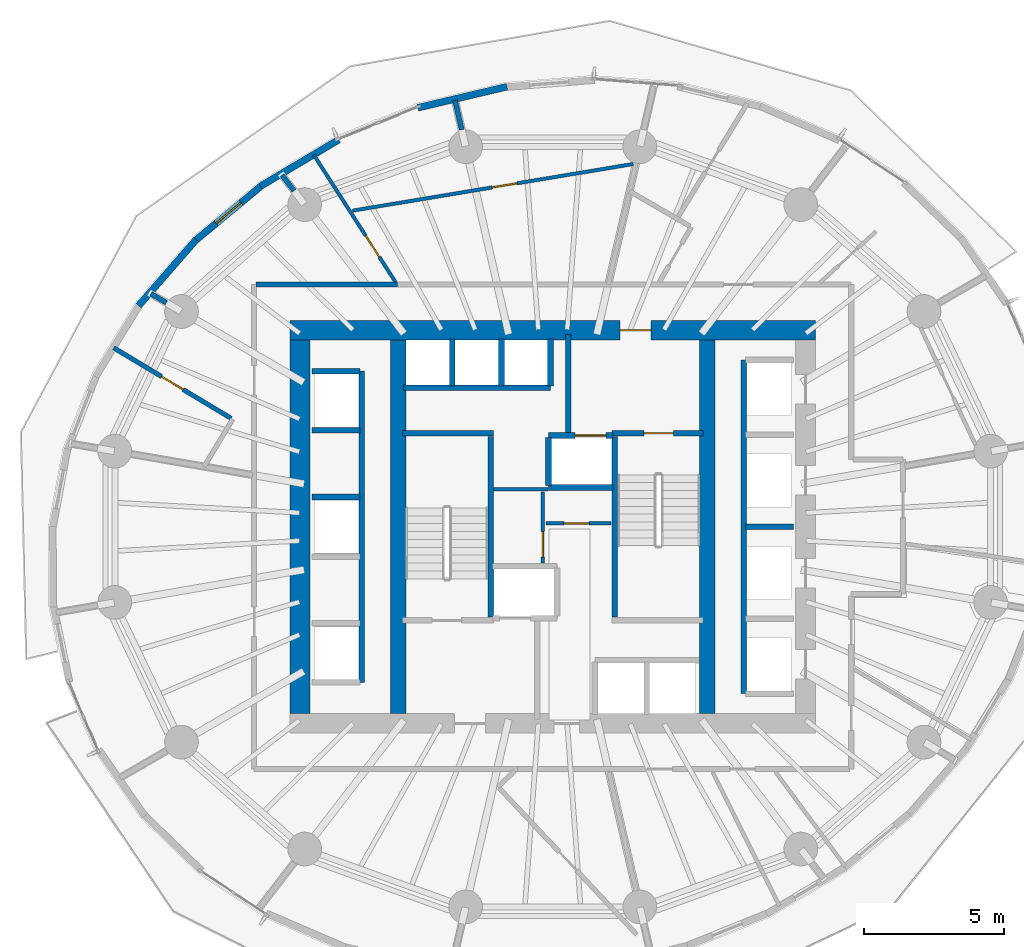
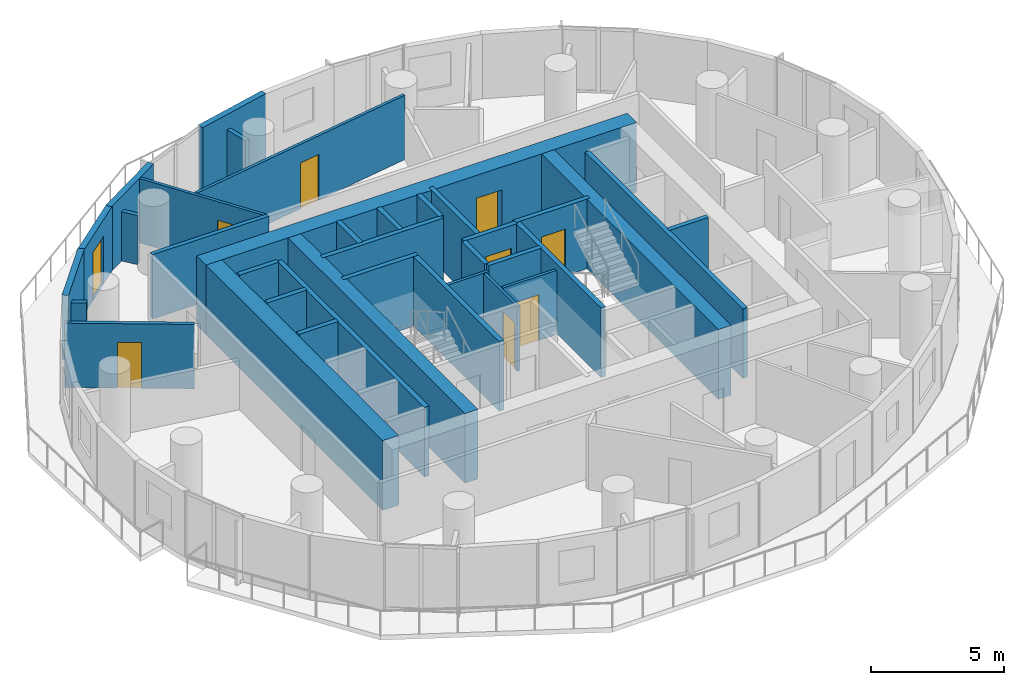
# One storey, part 8 of 14: 36 walls, 9 doors, 9 openings.
"""IFC4 building model written with IfcOpenShell, lengths in metres."""

from ifc_helpers import new_model, si_unit, direction, frame, frame_2d, origin, place, context, subcontext, project, spatial, rectangle, extrude, material, layer, layer_set, type_object, element, fill, save


model = new_model("IFC4")

# Units and contexts
model_context = context("Model", 3, precision=1e-05, world=origin(), true_north=direction((0.0, 1.0)))
body_context = subcontext(model_context, "Body", "Model", "MODEL_VIEW")
ifc_project = project(units=[si_unit("LENGTHUNIT", "METRE"), si_unit("AREAUNIT", "SQUARE_METRE"), si_unit("VOLUMEUNIT", "CUBIC_METRE"), si_unit("PLANEANGLEUNIT", "RADIAN"), si_unit("MASSUNIT", "GRAM", prefix="KILO")], contexts=[model_context])

# Site, building, storey
site_placement = place(None, origin())
site = spatial("IfcSite", under=ifc_project, at=site_placement, CompositionType="ELEMENT")
building_placement = place(site_placement, origin())
building = spatial("IfcBuilding", under=site, at=building_placement, Name="Veldorim Arch Residences", CompositionType="ELEMENT")
storey_placement = place(building_placement, frame((0.0, 0.0, 77.280029296875)))
storey = spatial("IfcBuildingStorey", under=building, at=storey_placement, Name="L22", CompositionType="ELEMENT", Elevation=77.280029296875)

# Wall, opening, door
ifc_material_1 = material(Name="Acoustic Gypsum Board", Category="gypsum")
ifc_layer_1 = layer(ifc_material_1, 0.125, Name="Acoustic Stud Room Partition Wall 125")
ifc_layer_set_1 = layer_set([ifc_layer_1], Name="Acoustic Gypsum Board")
wall_type_1 = type_object("IfcWallType", Name="Acoustic Stud Room Partition Wall 125", PredefinedType="PARTITIONING", material=ifc_layer_set_1)
wall_1_placement = place(storey_placement, frame((31.64990234375, 22.719970703125, 0.0), z_axis=(0.0, 0.0, 1.0), x_axis=(0.0, 1.0, 0.0)))
wall_1 = element("IfcWall", 1, at=wall_1_placement, inside=storey, type_object=wall_type_1, Name="L22 interior wall WL-CA-L22-1", PredefinedType="PARTITIONING", context=body_context, shape_type="SweptSolid", body=[
    extrude(rectangle(XDim=2.52001953125, YDim=0.125, at=frame_2d((1.260009765625, 0.0))), origin(), (0.0, 0.0, 1.0), 2.955078125),
])
opening_1_placement = place(wall_1_placement, frame((0.2099609375, 0.0, 0.0)))
opening_1 = element("IfcOpeningElement", 2, at=opening_1_placement, cuts=wall_1, Name="Opening DR-SVC", PredefinedType="OPENING", context=body_context, shape_type="SweptSolid", body=[
    extrude(rectangle(XDim=0.89990234375, YDim=2.10009765625, at=frame_2d((0.449951171875, 1.050048828125))), frame((0.0, 0.072509765625, 0.0), z_axis=(0.0, -1.0, 0.0), x_axis=(1.0, 0.0, 0.0)), (0.0, 0.0, 1.0), 0.14501953125),
])
ifc_material_2 = material(Name="Fire-Rated Steel", Category="steel")
door_type_1 = type_object("IfcDoorType", Name="Riser, Shelter & Plant Room Rated Steel Door 900x2100", OperationType="SINGLE_SWING_LEFT", PredefinedType="DOOR", material=ifc_material_2)
door_1_placement = place(opening_1_placement, origin())
door_1 = element("IfcDoor", 3, at=door_1_placement, inside=storey, type_object=door_type_1, Name="L22 interior door DR-L22-CA1", OperationType="SINGLE_SWING_LEFT", OverallHeight=2.10009765625, OverallWidth=0.89990234375, PredefinedType="DOOR", context=body_context, shape_type="SweptSolid", body=[
    extrude(rectangle(XDim=0.89990234375, YDim=2.10009765625, at=frame_2d((0.449951171875, 1.050048828125))), frame((0.0, 0.02490234375, 0.0), z_axis=(0.0, -1.0, 0.0), x_axis=(1.0, 0.0, 0.0)), (0.0, 0.0, 1.0), 0.050048828125),
])
fill(opening_1, door_1)

wall_2_placement = place(storey_placement, frame((31.760009765625, 24.1201171875, 0.0), z_axis=(0.0, 0.0, 1.0), x_axis=(1.0, 0.0, 0.0)))
wall_2 = element("IfcWall", 4, at=wall_2_placement, inside=storey, type_object=wall_type_1, Name="L22 interior wall WL-CA-L22-2", PredefinedType="PARTITIONING", context=body_context, shape_type="SweptSolid", body=[
    extrude(rectangle(XDim=2.320068359375, YDim=0.125, at=frame_2d((1.16015625, 0.0))), origin(), (0.0, 0.0, 1.0), 2.955078125),
])
opening_2_placement = place(wall_2_placement, frame((0.639892578125, 0.0, 0.0)))
opening_2 = element("IfcOpeningElement", 5, at=opening_2_placement, cuts=wall_2, Name="Opening DR-SVC", PredefinedType="OPENING", context=body_context, shape_type="SweptSolid", body=[
    extrude(rectangle(XDim=0.89990234375, YDim=2.10009765625, at=frame_2d((0.449951171875, 1.050048828125))), frame((0.0, 0.072509765625, 0.0), z_axis=(0.0, -1.0, 0.0), x_axis=(1.0, 0.0, 0.0)), (0.0, 0.0, 1.0), 0.14501953125),
])
door_2_placement = place(opening_2_placement, origin())
door_2 = element("IfcDoor", 6, at=door_2_placement, inside=storey, type_object=door_type_1, Name="L22 interior door DR-L22-CA2", OperationType="SINGLE_SWING_RIGHT", OverallHeight=2.10009765625, OverallWidth=0.89990234375, PredefinedType="DOOR", context=body_context, shape_type="SweptSolid", body=[
    extrude(rectangle(XDim=0.89990234375, YDim=2.10009765625, at=frame_2d((0.449951171875, 1.050048828125))), frame((0.0, 0.02490234375, 0.0), z_axis=(0.0, -1.0, 0.0), x_axis=(1.0, 0.0, 0.0)), (0.0, 0.0, 1.0), 0.050048828125),
])
fill(opening_2, door_2)

# Wall
wall_3_placement = place(storey_placement, frame((29.889892578125, 25.330078125, 0.0), z_axis=(0.0, 0.0, 1.0), x_axis=(1.0, 0.0, 0.0)))
element("IfcWall", 7, at=wall_3_placement, inside=storey, type_object=wall_type_1, Name="L22 interior wall WL-CA-L22-N", PredefinedType="PARTITIONING", context=body_context, shape_type="SweptSolid", body=[
    extrude(rectangle(XDim=1.940185546875, YDim=0.125, at=frame_2d((0.97021484375, 0.0))), origin(), (0.0, 0.0, 1.0), 2.955078125),
])

# Wall, opening, door
wall_4_placement = place(storey_placement, frame((23.490966796875, 37.242919921875, 0.0), z_axis=(0.0, 0.0, 1.0), x_axis=(0.540565030624, -0.841302233247, 0.0)))
wall_4 = element("IfcWall", 8, at=wall_4_placement, inside=storey, type_object=wall_type_1, Name="L22 interior wall WL-RES-L22-025", PredefinedType="PARTITIONING", context=body_context, shape_type="SweptSolid", body=[
    extrude(rectangle(XDim=5.383056640625, YDim=0.125, at=frame_2d((2.69140625, 0.0))), origin(), (0.0, 0.0, 1.0), 2.955078125),
])
opening_3_placement = place(wall_4_placement, frame((3.42041015625, 0.0, 0.0)))
opening_3 = element("IfcOpeningElement", 9, at=opening_3_placement, cuts=wall_4, Name="Opening DR-INT", PredefinedType="OPENING", context=body_context, shape_type="SweptSolid", body=[
    extrude(rectangle(XDim=0.89990234375, YDim=2.10009765625, at=frame_2d((0.449951171875, 1.050048828125))), frame((0.0, 0.072509765625, 0.0), z_axis=(0.0, -1.0, 0.0), x_axis=(1.0, 0.0, 0.0)), (0.0, 0.0, 1.0), 0.14501953125),
])
ifc_material_3 = material(Name="Engineered Timber", Category="wood")
door_type_2 = type_object("IfcDoorType", Name="Apartment Internal Room Timber Door 900x2100", OperationType="SINGLE_SWING_LEFT", PredefinedType="DOOR", material=ifc_material_3)
door_3_placement = place(opening_3_placement, origin())
door_3 = element("IfcDoor", 10, at=door_3_placement, inside=storey, type_object=door_type_2, Name="L22 interior door DR-RES-L22-013", OperationType="SINGLE_SWING_LEFT", OverallHeight=2.10009765625, OverallWidth=0.89990234375, PredefinedType="DOOR", context=body_context, shape_type="SweptSolid", body=[
    extrude(rectangle(XDim=0.89990234375, YDim=2.10009765625, at=frame_2d((0.449951171875, 1.050048828125))), frame((0.0, 0.02490234375, 0.0), z_axis=(0.0, -1.0, 0.0), x_axis=(1.0, 0.0, 0.0)), (0.0, 0.0, 1.0), 0.050048828125),
])
fill(opening_3, door_3)

wall_5_placement = place(storey_placement, frame((24.875, 35.2587890625, 0.0), z_axis=(0.0, 0.0, 1.0), x_axis=(0.986466792703, 0.163961174958, 0.0)))
wall_5 = element("IfcWall", 11, at=wall_5_placement, inside=storey, type_object=wall_type_1, Name="L22 interior wall WL-RES-L22-027", PredefinedType="PARTITIONING", context=body_context, shape_type="SweptSolid", body=[
    extrude(rectangle(XDim=10.128173828125, YDim=0.125, at=frame_2d((5.06396484375, 0.0))), origin(), (0.0, 0.0, 1.0), 2.955078125),
])
opening_4_placement = place(wall_5_placement, frame((5.0341796875, 0.0, 0.0)))
opening_4 = element("IfcOpeningElement", 12, at=opening_4_placement, cuts=wall_5, Name="Opening DR-INT", PredefinedType="OPENING", context=body_context, shape_type="SweptSolid", body=[
    extrude(rectangle(XDim=0.89990234375, YDim=2.10009765625, at=frame_2d((0.449951171875, 1.050048828125))), frame((0.0, 0.072509765625, 0.0), z_axis=(0.0, -1.0, 0.0), x_axis=(1.0, 0.0, 0.0)), (0.0, 0.0, 1.0), 0.14501953125),
])
door_4_placement = place(opening_4_placement, origin())
door_4 = element("IfcDoor", 13, at=door_4_placement, inside=storey, type_object=door_type_2, Name="L22 interior door DR-RES-L22-014", OperationType="SINGLE_SWING_RIGHT", OverallHeight=2.10009765625, OverallWidth=0.89990234375, PredefinedType="DOOR", context=body_context, shape_type="SweptSolid", body=[
    extrude(rectangle(XDim=0.89990234375, YDim=2.10009765625, at=frame_2d((0.449951171875, 1.050048828125))), frame((0.0, 0.02490234375, 0.0), z_axis=(0.0, -1.0, 0.0), x_axis=(1.0, 0.0, 0.0)), (0.0, 0.0, 1.0), 0.050048828125),
])
fill(opening_4, door_4)

# Walls
ifc_material_4 = material(Name="Lightweight Masonry Block & Gypsum", Category="masonry")
ifc_layer_2 = layer(ifc_material_4, 0.179931640625, Name="Compartment & Corridor Fire-Rated Party Wall 180")
ifc_layer_set_2 = layer_set([ifc_layer_2], Name="Lightweight Masonry Block & Gypsum")
wall_type_2 = type_object("IfcWallType", Name="Compartment & Corridor Fire-Rated Party Wall 180", PredefinedType="PARTITIONING", material=ifc_layer_set_2)
wall_6_placement = place(storey_placement, frame((28.759521484375, 38.13916015625, 0.0), z_axis=(0.0, 0.0, 1.0), x_axis=(-0.223308362472, 0.974747852139, 0.0)))
element("IfcWall", 14, at=wall_6_placement, inside=storey, type_object=wall_type_2, Name="L22 interior wall WL-PIER-L22-05", PredefinedType="PARTITIONING", context=body_context, shape_type="SweptSolid", body=[
    extrude(rectangle(XDim=1.0693359375, YDim=0.179931640625, at=frame_2d((0.53466796875, 0.0))), origin(), (0.0, 0.0, 1.0), 2.26025390625),
])
wall_7_placement = place(storey_placement, frame((22.7880859375, 35.965576171875, 0.0), z_axis=(0.0, 0.0, 1.0), x_axis=(-0.609945476355, 0.792443383387, 0.0)))
element("IfcWall", 15, at=wall_7_placement, inside=storey, type_object=wall_type_2, Name="L22 interior wall WL-PIER-L22-06", PredefinedType="PARTITIONING", context=body_context, shape_type="SweptSolid", body=[
    extrude(rectangle(XDim=0.70361328125, YDim=0.179931640625, at=frame_2d((0.351806640625, 0.0))), origin(), (0.0, 0.0, 1.0), 2.26025390625),
])
wall_8_placement = place(storey_placement, frame((18.243408203125, 31.977783203125, 0.0), z_axis=(0.0, 0.0, 1.0), x_axis=(-0.864928236137, 0.501895553212, 0.0)))
element("IfcWall", 16, at=wall_8_placement, inside=storey, type_object=wall_type_2, Name="L22 interior wall WL-PIER-L22-07", PredefinedType="PARTITIONING", context=body_context, shape_type="SweptSolid", body=[
    extrude(rectangle(XDim=0.63818359375, YDim=0.179931640625, at=frame_2d((0.319091796875, 0.0))), origin(), (0.0, 0.0, 1.0), 2.26025390625),
])
wall_9_placement = place(storey_placement, frame((21.429931640625, 32.6298828125, 0.0), z_axis=(0.0, 0.0, 1.0), x_axis=(1.0, 0.0, 0.0)))
element("IfcWall", 17, at=wall_9_placement, inside=storey, type_object=wall_type_2, Name="L22 interior wall WL-RES-L22-009", PredefinedType="PARTITIONING", context=body_context, shape_type="SweptSolid", body=[
    extrude(rectangle(XDim=5.044921875, YDim=0.179931640625, at=frame_2d((2.5224609375, 0.0))), origin(), (0.0, 0.0, 1.0), 2.955078125),
])
ifc_material_5 = material(Name="Concrete C50/60", Category="concrete")
ifc_layer_3 = layer(ifc_material_5, 0.199951171875, Name="Core Stair & Lift Shaft Enclosure Wall 200")
ifc_layer_set_3 = layer_set([ifc_layer_3], Name="Concrete C50/60")
wall_type_3 = type_object("IfcWallType", Name="Core Stair & Lift Shaft Enclosure Wall 200", PredefinedType="SHEAR", material=ifc_layer_set_3)
wall_10_placement = place(storey_placement, frame((29.7900390625, 20.780029296875, 0.0), z_axis=(0.0, 0.0, 1.0), x_axis=(0.0, 1.0, 0.0)))
element("IfcWall", 18, at=wall_10_placement, inside=storey, type_object=wall_type_3, Name="L22 shaft wall WL-SHF-L22-ST1-E", PredefinedType="SHEAR", context=body_context, shape_type="SweptSolid", body=[
    extrude(rectangle(XDim=6.43994140625, YDim=0.199951171875, at=frame_2d((3.219970703125, 0.0))), origin(), (0.0, 0.0, 1.0), 3.199951171875),
])
wall_11_placement = place(storey_placement, frame((26.64990234375, 27.330078125, 0.0), z_axis=(0.0, 0.0, 1.0), x_axis=(1.0, 0.0, 0.0)))
element("IfcWall", 19, at=wall_11_placement, inside=storey, type_object=wall_type_3, Name="L22 shaft wall WL-SHF-L22-ST1-N", PredefinedType="SHEAR", context=body_context, shape_type="SweptSolid", body=[
    extrude(rectangle(XDim=3.239990234375, YDim=0.199951171875, at=frame_2d((1.6201171875, 0.0))), origin(), (0.0, 0.0, 1.0), 3.199951171875),
])
wall_12_placement = place(storey_placement, frame((34.2099609375, 20.780029296875, 0.0), z_axis=(0.0, 0.0, 1.0), x_axis=(0.0, 1.0, 0.0)))
element("IfcWall", 20, at=wall_12_placement, inside=storey, type_object=wall_type_3, Name="L22 shaft wall WL-SHF-L22-ST2-W", PredefinedType="SHEAR", context=body_context, shape_type="SweptSolid", body=[
    extrude(rectangle(XDim=6.43994140625, YDim=0.199951171875, at=frame_2d((3.219970703125, 0.0))), origin(), (0.0, 0.0, 1.0), 3.199951171875),
])

# Wall, opening, door
wall_13_placement = place(storey_placement, frame((34.110107421875, 27.330078125, 0.0), z_axis=(0.0, 0.0, 1.0), x_axis=(1.0, 0.0, 0.0)))
wall_13 = element("IfcWall", 21, at=wall_13_placement, inside=storey, type_object=wall_type_3, Name="L22 shaft wall WL-SHF-L22-ST2-N", PredefinedType="SHEAR", context=body_context, shape_type="SweptSolid", body=[
    extrude(rectangle(XDim=3.239990234375, YDim=0.199951171875, at=frame_2d((1.6201171875, 0.0))), origin(), (0.0, 0.0, 1.0), 3.199951171875),
])
opening_5_placement = place(wall_13_placement, frame((1.135009765625, 0.0, 0.0)))
opening_5 = element("IfcOpeningElement", 22, at=opening_5_placement, cuts=wall_13, Name="Opening DR-ST", PredefinedType="OPENING", context=body_context, shape_type="SweptSolid", body=[
    extrude(rectangle(XDim=1.050048828125, YDim=2.14990234375, at=frame_2d((0.52490234375, 1.074951171875))), frame((0.0, 0.10986328125, 0.0), z_axis=(0.0, -1.0, 0.0), x_axis=(1.0, 0.0, 0.0)), (0.0, 0.0, 1.0), 0.219970703125),
])
ifc_material_6 = material(Name="Fire-Rated Steel", Category="steel")
door_type_3 = type_object("IfcDoorType", Name="Exit Staircase Self-Closing Fire Door 1050x2150", OperationType="SINGLE_SWING_LEFT", PredefinedType="DOOR", material=ifc_material_6)
door_5_placement = place(opening_5_placement, origin())
door_5 = element("IfcDoor", 23, at=door_5_placement, inside=storey, type_object=door_type_3, Name="L22 interior door DR-L22-ST2", OperationType="SINGLE_SWING_RIGHT", OverallHeight=2.14990234375, OverallWidth=1.050048828125, PredefinedType="DOOR", context=body_context, shape_type="SweptSolid", body=[
    extrude(rectangle(XDim=1.050048828125, YDim=2.14990234375, at=frame_2d((0.52490234375, 1.074951171875))), frame((0.0, 0.02490234375, 0.0), z_axis=(0.0, -1.0, 0.0), x_axis=(1.0, 0.0, 0.0)), (0.0, 0.0, 1.0), 0.050048828125),
])
fill(opening_5, door_5)

# Wall
wall_14_placement = place(storey_placement, frame((32.550048828125, 27.35009765625, 0.0), z_axis=(0.0, 0.0, 1.0), x_axis=(0.0, 1.0, 0.0)))
element("IfcWall", 24, at=wall_14_placement, inside=storey, type_object=wall_type_3, Name="L22 shaft wall WL-FFL2-L22-W", PredefinedType="SHEAR", context=body_context, shape_type="SweptSolid", body=[
    extrude(rectangle(XDim=3.5, YDim=0.199951171875, at=frame_2d((1.75, 0.0))), origin(), (0.0, 0.0, 1.0), 3.199951171875),
])

# Wall, opening, door
wall_15_placement = place(storey_placement, frame((31.85009765625, 27.25, 0.0), z_axis=(0.0, 0.0, 1.0), x_axis=(1.0, 0.0, 0.0)))
wall_15 = element("IfcWall", 25, at=wall_15_placement, inside=storey, type_object=wall_type_3, Name="L22 shaft wall WL-FL02-L22-N", PredefinedType="SHEAR", context=body_context, shape_type="SweptSolid", body=[
    extrude(rectangle(XDim=2.2998046875, YDim=0.199951171875, at=frame_2d((1.14990234375, 0.0))), origin(), (0.0, 0.0, 1.0), 3.199951171875),
])
opening_6_placement = place(wall_15_placement, frame((0.949951171875, 0.0, 0.0)))
opening_6 = element("IfcOpeningElement", 26, at=opening_6_placement, cuts=wall_15, Name="Opening LD-FF", PredefinedType="OPENING", context=body_context, shape_type="SweptSolid", body=[
    extrude(rectangle(XDim=1.10009765625, YDim=2.14990234375, at=frame_2d((0.550048828125, 1.074951171875))), frame((0.0, 0.10986328125, 0.0), z_axis=(0.0, -1.0, 0.0), x_axis=(1.0, 0.0, 0.0)), (0.0, 0.0, 1.0), 0.219970703125),
])
ifc_material_7 = material(Name="Stainless Steel", Category="steel")
door_type_4 = type_object("IfcDoorType", Name="Firefighting Lift Bi-Parting Sliding Landing Door 1100x2150", OperationType="DOUBLE_DOOR_SLIDING", PredefinedType="DOOR", material=ifc_material_7)
door_6_placement = place(opening_6_placement, origin())
door_6 = element("IfcDoor", 27, at=door_6_placement, inside=storey, type_object=door_type_4, Name="L22 lift landing door LD-L22-FL02", OperationType="DOUBLE_DOOR_SLIDING", OverallHeight=2.14990234375, OverallWidth=1.10009765625, PredefinedType="DOOR", context=body_context, shape_type="SweptSolid", body=[
    extrude(rectangle(XDim=1.10009765625, YDim=2.14990234375, at=frame_2d((0.550048828125, 1.074951171875))), frame((0.0, 0.02490234375, 0.0), z_axis=(0.0, -1.0, 0.0), x_axis=(1.0, 0.0, 0.0)), (0.0, 0.0, 1.0), 0.050048828125),
])
fill(opening_6, door_6)

# Walls
wall_16_placement = place(storey_placement, frame((31.85009765625, 25.39990234375, 0.0), z_axis=(0.0, 0.0, 1.0), x_axis=(1.0, 0.0, 0.0)))
element("IfcWall", 28, at=wall_16_placement, inside=storey, type_object=wall_type_3, Name="L22 shaft wall WL-FL02-L22-S", PredefinedType="SHEAR", context=body_context, shape_type="SweptSolid", body=[
    extrude(rectangle(XDim=2.2998046875, YDim=0.199951171875, at=frame_2d((1.14990234375, 0.0))), origin(), (0.0, 0.0, 1.0), 3.199951171875),
])
wall_17_placement = place(storey_placement, frame((31.85009765625, 25.469970703125, 0.0), z_axis=(0.0, 0.0, 1.0), x_axis=(0.0, 1.0, 0.0)))
element("IfcWall", 29, at=wall_17_placement, inside=storey, type_object=wall_type_3, Name="L22 shaft wall WL-FL02-L22-W", PredefinedType="SHEAR", context=body_context, shape_type="SweptSolid", body=[
    extrude(rectangle(XDim=1.7099609375, YDim=0.199951171875, at=frame_2d((0.85498046875, 0.0))), origin(), (0.0, 0.0, 1.0), 3.199951171875),
])
wall_18_placement = place(storey_placement, frame((38.800048828125, 18.06005859375, 0.0), z_axis=(0.0, 0.0, 1.0), x_axis=(0.0, 1.0, 0.0)))
element("IfcWall", 30, at=wall_18_placement, inside=storey, type_object=wall_type_3, Name="L22 shaft wall WL-B1-L22-W", PredefinedType="SHEAR", context=body_context, shape_type="SweptSolid", body=[
    extrude(rectangle(XDim=11.8798828125, YDim=0.199951171875, at=frame_2d((5.93994140625, 0.0))), origin(), (0.0, 0.0, 1.0), 3.199951171875),
])
wall_19_placement = place(storey_placement, frame((38.8701171875, 24.0, 0.0), z_axis=(0.0, 0.0, 1.0), x_axis=(1.0, 0.0, 0.0)))
element("IfcWall", 31, at=wall_19_placement, inside=storey, type_object=wall_type_3, Name="L22 shaft wall WL-B1-L22-D2", PredefinedType="SHEAR", context=body_context, shape_type="SweptSolid", body=[
    extrude(rectangle(XDim=1.7099609375, YDim=0.199951171875, at=frame_2d((0.85498046875, 0.0))), origin(), (0.0, 0.0, 1.0), 3.199951171875),
])
wall_20_placement = place(storey_placement, frame((25.199951171875, 18.4599609375, 0.0), z_axis=(0.0, 0.0, 1.0), x_axis=(0.0, 1.0, 0.0)))
element("IfcWall", 32, at=wall_20_placement, inside=storey, type_object=wall_type_3, Name="L22 shaft wall WL-B2-L22-E", PredefinedType="SHEAR", context=body_context, shape_type="SweptSolid", body=[
    extrude(rectangle(XDim=11.080078125, YDim=0.199951171875, at=frame_2d((5.5400390625, 0.0))), origin(), (0.0, 0.0, 1.0), 3.199951171875),
])
for number, where, z_axis, x_axis, name in (
    (33, (23.419921875, 29.5400390625, 0.0), (0.0, 0.0, 1.0), (1.0, 0.0, 0.0), "L22 shaft wall WL-B2-L22-N"),
    (34, (23.419921875, 25.06005859375, 0.0), (0.0, 0.0, 1.0), (1.0, 0.0, 0.0), "L22 shaft wall WL-B2-L22-D2A"),
    (35, (23.419921875, 27.43994140625, 0.0), (0.0, 0.0, 1.0), (1.0, 0.0, 0.0), "L22 shaft wall WL-B2-L22-D2B"),
):
    element("IfcWall", number, at=place(storey_placement, frame(where, z_axis=z_axis, x_axis=x_axis)), inside=storey, type_object=wall_type_3, Name=name, PredefinedType="SHEAR", context=body_context, shape_type="SweptSolid", body=[
        extrude(rectangle(XDim=1.7099609375, YDim=0.199951171875, at=frame_2d((0.85498046875, 0.0))), origin(), (0.0, 0.0, 1.0), 3.199951171875),
    ])
wall_21_placement = place(storey_placement, frame((26.679931640625, 28.949951171875, 0.0), z_axis=(0.0, 0.0, 1.0), x_axis=(1.0, 0.0, 0.0)))
element("IfcWall", 36, at=wall_21_placement, inside=storey, type_object=wall_type_3, Name="L22 shaft wall WL-B3-L22-S", PredefinedType="SHEAR", context=body_context, shape_type="SweptSolid", body=[
    extrude(rectangle(XDim=5.239990234375, YDim=0.199951171875, at=frame_2d((2.6201171875, 0.0))), origin(), (0.0, 0.0, 1.0), 3.199951171875),
])
for number, where, z_axis, x_axis, name in (
    (37, (31.919921875, 29.02001953125, 0.0), (0.0, 0.0, 1.0), (0.0, 1.0, 0.0), "L22 shaft wall WL-B3-L22-E"),
    (38, (28.425048828125, 29.02001953125, 0.0), (0.0, 0.0, 1.0), (0.0, 1.0, 0.0), "L22 shaft wall WL-B3-L22-D1"),
    (39, (30.175048828125, 29.02001953125, 0.0), (0.0, 0.0, 1.0), (0.0, 1.0, 0.0), "L22 shaft wall WL-B3-L22-D2"),
):
    element("IfcWall", number, at=place(storey_placement, frame(where, z_axis=z_axis, x_axis=x_axis)), inside=storey, type_object=wall_type_3, Name=name, PredefinedType="SHEAR", context=body_context, shape_type="SweptSolid", body=[
        extrude(rectangle(XDim=1.659912109375, YDim=0.199951171875, at=frame_2d((0.830078125, 0.0))), origin(), (0.0, 0.0, 1.0), 3.199951171875),
    ])
ifc_material_8 = material(Name="Concrete C60/75", Category="concrete")
ifc_layer_4 = layer(ifc_material_8, 0.56005859375, Name="Internal Core Shear Web Wall 560")
ifc_layer_set_4 = layer_set([ifc_layer_4], Name="Concrete C60/75")
wall_type_4 = type_object("IfcWallType", Name="Internal Core Shear Web Wall 560", PredefinedType="SHEAR", material=ifc_layer_set_4)
for number, where, z_axis, x_axis, name in (
    (40, (26.5, 17.35009765625, 0.0), (0.0, 0.0, 1.0), (0.0, 1.0, 0.0), "L22 core west internal shear web"),
    (41, (37.5, 17.35009765625, 0.0), (0.0, 0.0, 1.0), (0.0, 1.0, 0.0), "L22 core east internal shear web"),
):
    element("IfcWall", number, at=place(storey_placement, frame(where, z_axis=z_axis, x_axis=x_axis)), inside=storey, type_object=wall_type_4, Name=name, PredefinedType="SHEAR", context=body_context, shape_type="SweptSolid", body=[
        extrude(rectangle(XDim=13.2998046875, YDim=0.56005859375, at=frame_2d((6.64990234375, 0.0))), origin(), (0.0, 0.0, 1.0), 3.199951171875),
    ])

# Wall, opening, door
ifc_material_9 = material(Name="Concrete C60/75", Category="concrete")
ifc_layer_5 = layer(ifc_material_9, 0.699951171875, Name="Mid-Lower Central Core Shear Wall 700")
ifc_layer_set_5 = layer_set([ifc_layer_5], Name="Concrete C60/75")
wall_type_5 = type_object("IfcWallType", Name="Mid-Lower Central Core Shear Wall 700", PredefinedType="SHEAR", material=ifc_layer_set_5)
wall_22_placement = place(storey_placement, frame((22.64990234375, 31.0, 0.0), z_axis=(0.0, 0.0, 1.0), x_axis=(1.0, 0.0, 0.0)))
wall_22 = element("IfcWall", 42, at=wall_22_placement, inside=storey, type_object=wall_type_5, Name="L22 central core north shear wall", PredefinedType="SHEAR", context=body_context, shape_type="SweptSolid", body=[
    extrude(rectangle(XDim=18.7001953125, YDim=0.699951171875, at=frame_2d((9.35009765625, 0.0))), origin(), (0.0, 0.0, 1.0), 3.199951171875),
])
opening_7_placement = place(wall_22_placement, frame((11.75, 0.0, 0.0)))
opening_7 = element("IfcOpeningElement", 43, at=opening_7_placement, cuts=wall_22, Name="Opening DR-FFL", PredefinedType="OPENING", context=body_context, shape_type="SweptSolid", body=[
    extrude(rectangle(XDim=1.10009765625, YDim=2.14990234375, at=frame_2d((0.550048828125, 1.074951171875))), frame((0.0, 0.35986328125, 0.0), z_axis=(0.0, -1.0, 0.0), x_axis=(1.0, 0.0, 0.0)), (0.0, 0.0, 1.0), 0.719970703125),
])
ifc_material_10 = material(Name="Fire-Rated Steel & Vision Glass", Category="steel")
door_type_5 = type_object("IfcDoorType", Name="Firefighting Lobby Smoke-Stop Fire Door 1100x2150", OperationType="SINGLE_SWING_LEFT", PredefinedType="DOOR", material=ifc_material_10)
door_7_placement = place(opening_7_placement, origin())
door_7 = element("IfcDoor", 44, at=door_7_placement, inside=storey, type_object=door_type_5, Name="L22 interior door DR-L22-FFL2", OperationType="SINGLE_SWING_LEFT", OverallHeight=2.14990234375, OverallWidth=1.10009765625, PredefinedType="DOOR", context=body_context, shape_type="SweptSolid", body=[
    extrude(rectangle(XDim=1.10009765625, YDim=2.14990234375, at=frame_2d((0.550048828125, 1.074951171875))), frame((0.0, 0.02490234375, 0.0), z_axis=(0.0, -1.0, 0.0), x_axis=(1.0, 0.0, 0.0)), (0.0, 0.0, 1.0), 0.050048828125),
])
fill(opening_7, door_7)

# Walls
wall_23_placement = place(storey_placement, frame((23.0, 17.35009765625, 0.0), z_axis=(0.0, 0.0, 1.0), x_axis=(0.0, 1.0, 0.0)))
element("IfcWall", 45, at=wall_23_placement, inside=storey, type_object=wall_type_5, Name="L22 central core west shear wall", PredefinedType="SHEAR", context=body_context, shape_type="SweptSolid", body=[
    extrude(rectangle(XDim=13.2998046875, YDim=0.699951171875, at=frame_2d((6.64990234375, 0.0))), origin(), (0.0, 0.0, 1.0), 3.199951171875),
])
ifc_material_11 = material(Name="Precast concrete C40/50", Category="concrete")
ifc_layer_6 = layer(ifc_material_11, 0.25, Name="Tower Terracotta Spandrel & Pier Wall 250")
ifc_layer_set_6 = layer_set([ifc_layer_6], Name="Precast concrete C40/50")
wall_type_6 = type_object("IfcWallType", Name="Tower Terracotta Spandrel & Pier Wall 250", PredefinedType="SOLIDWALL", material=ifc_layer_set_6)
wall_24_placement = place(storey_placement, frame((27.197021484375, 38.925048828125, 0.0), z_axis=(0.0, 0.0, 1.0), x_axis=(0.973185832187, 0.230020294824, 0.0)))
element("IfcWall", 46, at=wall_24_placement, inside=storey, type_object=wall_type_6, Name="L22 terracotta facade wall 09", PredefinedType="SOLIDWALL", context=body_context, shape_type="SweptSolid", body=[
    extrude(rectangle(XDim=3.259521484375, YDim=0.25, at=frame_2d((1.6298828125, 0.0))), origin(), (0.0, 0.0, 1.0), 2.9599609375),
])
wall_25_placement = place(storey_placement, frame((21.593994140625, 36.13232421875, 0.0), z_axis=(0.0, 0.0, 1.0), x_axis=(0.859543053771, 0.511063341196, 0.0)))
element("IfcWall", 47, at=wall_25_placement, inside=storey, type_object=wall_type_6, Name="L22 terracotta facade wall 11", PredefinedType="SOLIDWALL", context=body_context, shape_type="SweptSolid", body=[
    extrude(rectangle(XDim=3.236083984375, YDim=0.25, at=frame_2d((1.6181640625, 0.0))), origin(), (0.0, 0.0, 1.0), 2.9599609375),
])

# Wall, opening, door
wall_26_placement = place(storey_placement, frame((19.2265625, 34.1572265625, 0.0), z_axis=(0.0, 0.0, 1.0), x_axis=(0.769611275013, 0.638512713557, 0.0)))
wall_26 = element("IfcWall", 48, at=wall_26_placement, inside=storey, type_object=wall_type_6, Name="L22 terracotta facade wall 12", PredefinedType="SOLIDWALL", context=body_context, shape_type="SweptSolid", body=[
    extrude(rectangle(XDim=3.19189453125, YDim=0.25, at=frame_2d((1.595947265625, 0.0))), origin(), (0.0, 0.0, 1.0), 2.9599609375),
])
opening_8_placement = place(wall_26_placement, frame((1.02099609375, 0.0, 0.0)))
opening_8 = element("IfcOpeningElement", 49, at=opening_8_placement, cuts=wall_26, Name="Opening BL-DR", PredefinedType="OPENING", context=body_context, shape_type="SweptSolid", body=[
    extrude(rectangle(XDim=1.14990234375, YDim=2.199951171875, at=frame_2d((0.574951171875, 1.10009765625))), frame((0.0, 0.135009765625, 0.0), z_axis=(0.0, -1.0, 0.0), x_axis=(1.0, 0.0, 0.0)), (0.0, 0.0, 1.0), 0.27001953125),
])
ifc_material_12 = material(Name="Aluminium & Low-E Glass", Category="aluminium")
door_type_6 = type_object("IfcDoorType", Name="Glazed Planted Balcony Door 1150x2200", OperationType="SINGLE_SWING_LEFT", PredefinedType="DOOR", material=ifc_material_12)
door_8_placement = place(opening_8_placement, origin())
door_8 = element("IfcDoor", 50, at=door_8_placement, inside=storey, type_object=door_type_6, Name="L22 glazed outdoor terrace door BALC-1", OperationType="SINGLE_SWING_RIGHT", OverallHeight=2.199951171875, OverallWidth=1.14990234375, PredefinedType="DOOR", context=body_context, shape_type="SweptSolid", body=[
    extrude(rectangle(XDim=1.14990234375, YDim=2.199951171875, at=frame_2d((0.574951171875, 1.10009765625))), frame((0.0, 0.02490234375, 0.0), z_axis=(0.0, -1.0, 0.0), x_axis=(1.0, 0.0, 0.0)), (0.0, 0.0, 1.0), 0.050048828125),
])
fill(opening_8, door_8)

# Wall
wall_27_placement = place(storey_placement, frame((17.248291015625, 31.873291015625, 0.0), z_axis=(0.0, 0.0, 1.0), x_axis=(0.656940925155, 0.753942054044, 0.0)))
element("IfcWall", 51, at=wall_27_placement, inside=storey, type_object=wall_type_6, Name="L22 terracotta facade wall 13", PredefinedType="SOLIDWALL", context=body_context, shape_type="SweptSolid", body=[
    extrude(rectangle(XDim=3.131103515625, YDim=0.25, at=frame_2d((1.5654296875, 0.0))), origin(), (0.0, 0.0, 1.0), 2.9599609375),
])

# Wall, opening, door
ifc_material_13 = material(Name="Moisture-Resistant Gypsum & Stud", Category="gypsum")
ifc_layer_7 = layer(ifc_material_13, 0.159912109375, Name="Wet-Area Moisture-Resistant Plumbing Wall 160")
ifc_layer_set_7 = layer_set([ifc_layer_7], Name="Moisture-Resistant Gypsum & Stud")
wall_type_7 = type_object("IfcWallType", Name="Wet-Area Moisture-Resistant Plumbing Wall 160", PredefinedType="PLUMBINGWALL", material=ifc_layer_set_7)
wall_28_placement = place(storey_placement, frame((20.548583984375, 27.86181640625, 0.0), z_axis=(0.0, 0.0, 1.0), x_axis=(-0.857214854591, 0.514958923672, 0.0)))
wall_28 = element("IfcWall", 52, at=wall_28_placement, inside=storey, type_object=wall_type_7, Name="L22 interior wall WL-RES-L22-024", PredefinedType="PLUMBINGWALL", context=body_context, shape_type="SweptSolid", body=[
    extrude(rectangle(XDim=4.8828125, YDim=0.159912109375, at=frame_2d((2.44140625, 0.0))), origin(), (0.0, 0.0, 1.0), 2.955078125),
])
opening_9_placement = place(wall_28_placement, frame((1.991455078125, 0.0, 0.0)))
opening_9 = element("IfcOpeningElement", 53, at=opening_9_placement, cuts=wall_28, Name="Opening DR-WC", PredefinedType="OPENING", context=body_context, shape_type="SweptSolid", body=[
    extrude(rectangle(XDim=0.89990234375, YDim=2.10009765625, at=frame_2d((0.449951171875, 1.050048828125))), frame((0.0, 0.08984375, 0.0), z_axis=(0.0, -1.0, 0.0), x_axis=(1.0, 0.0, 0.0)), (0.0, 0.0, 1.0), 0.179931640625),
])
ifc_material_14 = material(Name="Laminate Timber", Category="wood")
door_type_7 = type_object("IfcDoorType", Name="Bathroom & Accessible WC Moisture-Sealed Door 900x2100", OperationType="SINGLE_SWING_LEFT", PredefinedType="DOOR", material=ifc_material_14)
door_9_placement = place(opening_9_placement, origin())
door_9 = element("IfcDoor", 54, at=door_9_placement, inside=storey, type_object=door_type_7, Name="L22 interior door DR-RES-L22-012", OperationType="SINGLE_SWING_RIGHT", OverallHeight=2.10009765625, OverallWidth=0.89990234375, PredefinedType="DOOR", context=body_context, shape_type="SweptSolid", body=[
    extrude(rectangle(XDim=0.89990234375, YDim=2.10009765625, at=frame_2d((0.449951171875, 1.050048828125))), frame((0.0, 0.02490234375, 0.0), z_axis=(0.0, -1.0, 0.0), x_axis=(1.0, 0.0, 0.0)), (0.0, 0.0, 1.0), 0.050048828125),
])
fill(opening_9, door_9)

save(model, "model.ifc")
